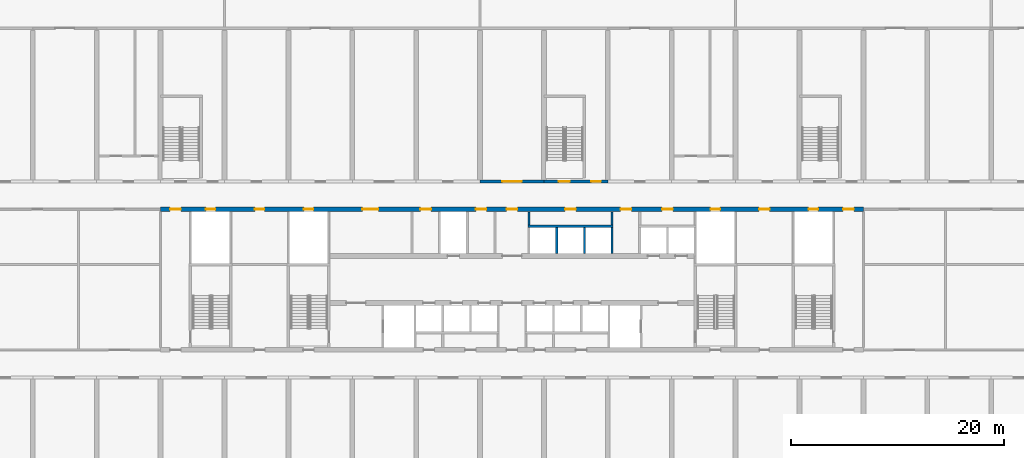
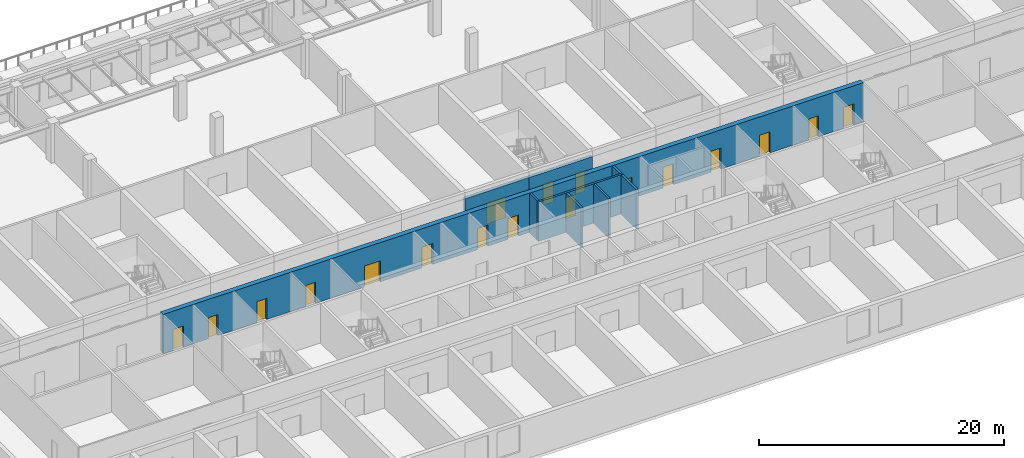
# One storey, part 7 of 15: 18 doors, 9 walls, 18 openings.
"""IFC4 building model written with IfcOpenShell, lengths in metres."""

from ifc_helpers import new_model, si_unit, direction, frame, frame_2d, origin, place, context, subcontext, project, spatial, rectangle, extrude, material, layer, layer_set, type_object, element, fill, save


model = new_model("IFC4")

# Units and contexts
model_context = context("Model", 3, precision=1e-05, world=origin(), true_north=direction((0.0, 1.0)))
body_context = subcontext(model_context, "Body", "Model", "MODEL_VIEW")
ifc_project = project(units=[si_unit("LENGTHUNIT", "METRE"), si_unit("AREAUNIT", "SQUARE_METRE"), si_unit("VOLUMEUNIT", "CUBIC_METRE"), si_unit("PLANEANGLEUNIT", "RADIAN"), si_unit("MASSUNIT", "GRAM", prefix="KILO")], contexts=[model_context])

# Site, building, storey
site_placement = place(None, origin())
site = spatial("IfcSite", under=ifc_project, at=site_placement, CompositionType="ELEMENT")
building_placement = place(site_placement, origin())
building = spatial("IfcBuilding", under=site, at=building_placement, Name="Poui Terraces", CompositionType="ELEMENT")
storey_placement = place(building_placement, frame((0.0, 0.0, 10.800048828125)))
storey = spatial("IfcBuildingStorey", under=building, at=storey_placement, Name="L02", CompositionType="ELEMENT", Elevation=10.800048828125)

# Wall, opening, door
ifc_material_1 = material(Name="Concrete 80 MPa", Category="concrete")
ifc_layer_1 = layer(ifc_material_1, 0.300048828125)
ifc_layer_set_1 = layer_set([ifc_layer_1], Name="Concrete 80 MPa")
wall_type_1 = type_object("IfcWallType", Name="CORRIDOR WALL 300 80MPa", PredefinedType="SHEAR", material=ifc_layer_set_1)
wall_1_placement = place(storey_placement, frame((48.0, 30.39990234375, 0.0), z_axis=(0.0, 0.0, 1.0), x_axis=(1.0, 0.0, 0.0)))
wall_1 = element("IfcWall", 1, at=wall_1_placement, inside=storey, type_object=wall_type_1, Name="CORRIDOR WALL LINE E BAY 9", PredefinedType="SHEAR", context=body_context, shape_type="SweptSolid", body=[
    extrude(rectangle(XDim=6.0, YDim=0.300048828125, at=frame_2d((3.0, 0.0))), origin(), (0.0, 0.0, 1.0), 3.320068359375),
])
opening_1_placement = place(wall_1_placement, frame((2.10009765625, 0.0, 0.0)))
opening_1 = element("IfcOpeningElement", 2, at=opening_1_placement, cuts=wall_1, Name="Opening DD180", PredefinedType="OPENING", context=body_context, shape_type="SweptSolid", body=[
    extrude(rectangle(XDim=1.800048828125, YDim=2.10009765625, at=frame_2d((0.89990234375, 1.050048828125))), frame((0.0, 0.16015625, 0.0), z_axis=(0.0, -1.0, 0.0), x_axis=(1.0, 0.0, 0.0)), (0.0, 0.0, 1.0), 0.320068359375),
])
ifc_material_2 = material(Name="Steel fire door", Category="steel")
door_type_1 = type_object("IfcDoorType", Name="DOUBLE INTERNAL DOOR 1800 X 2100", OperationType="DOUBLE_DOOR_SINGLE_SWING", PredefinedType="DOOR", material=ifc_material_2)
door_1_placement = place(opening_1_placement, frame((1.800048828125, 0.0, 0.0), z_axis=(0.0, 0.0, 1.0), x_axis=(-1.0, 0.0, 0.0)))
door_1 = element("IfcDoor", 3, at=door_1_placement, inside=storey, type_object=door_type_1, Name="DOUBLE INTERNAL DOOR 021", OperationType="DOUBLE_DOOR_SINGLE_SWING", OverallHeight=2.10009765625, OverallWidth=1.800048828125, PredefinedType="DOOR", context=body_context, shape_type="SweptSolid", body=[
    extrude(rectangle(XDim=1.800048828125, YDim=2.10009765625, at=frame_2d((0.89990234375, 1.050048828125))), frame((0.0, 0.02490234375, 0.0), z_axis=(0.0, -1.0, 0.0), x_axis=(1.0, 0.0, 0.0)), (0.0, 0.0, 1.0), 0.050048828125),
])
fill(opening_1, door_1)

# Wall, openings, doors
wall_2_placement = place(storey_placement, frame((54.0, 30.39990234375, 0.0), z_axis=(0.0, 0.0, 1.0), x_axis=(1.0, 0.0, 0.0)))
wall_2 = element("IfcWall", 4, at=wall_2_placement, inside=storey, type_object=wall_type_1, Name="CORRIDOR WALL LINE E BAY 10", PredefinedType="SHEAR", context=body_context, shape_type="SweptSolid", body=[
    extrude(rectangle(XDim=6.0, YDim=0.300048828125, at=frame_2d((3.0, 0.0))), origin(), (0.0, 0.0, 1.0), 3.320068359375),
])
opening_2_placement = place(wall_2_placement, frame((1.39990234375, 0.0, 0.0)))
opening_2 = element("IfcOpeningElement", 5, at=opening_2_placement, cuts=wall_2, Name="Opening FD60S", PredefinedType="OPENING", context=body_context, shape_type="SweptSolid", body=[
    extrude(rectangle(XDim=1.0, YDim=2.10009765625, at=frame_2d((0.5, 1.050048828125))), frame((0.0, 0.16015625, 0.0), z_axis=(0.0, -1.0, 0.0), x_axis=(1.0, 0.0, 0.0)), (0.0, 0.0, 1.0), 0.320068359375),
])
opening_3_placement = place(wall_2_placement, frame((4.449951171875, 0.0, 0.0)))
opening_3 = element("IfcOpeningElement", 6, at=opening_3_placement, cuts=wall_2, Name="Opening D90", PredefinedType="OPENING", context=body_context, shape_type="SweptSolid", body=[
    extrude(rectangle(XDim=0.89990234375, YDim=2.10009765625, at=frame_2d((0.449951171875, 1.050048828125))), frame((0.0, 0.16015625, 0.0), z_axis=(0.0, -1.0, 0.0), x_axis=(1.0, 0.0, 0.0)), (0.0, 0.0, 1.0), 0.320068359375),
])
ifc_material_3 = material(Name="Solid core timber door", Category="wood")
door_type_2 = type_object("IfcDoorType", Name="INTERNAL DOOR 900 X 2100", OperationType="NOTDEFINED", PredefinedType="DOOR", material=ifc_material_3)
door_2_placement = place(opening_3_placement, frame((0.89990234375, 0.0, 0.0), z_axis=(0.0, 0.0, 1.0), x_axis=(-1.0, 0.0, 0.0)))
door_2 = element("IfcDoor", 7, at=door_2_placement, inside=storey, type_object=door_type_2, Name="INTERNAL DOOR 024", OperationType="SINGLE_SWING_LEFT", OverallHeight=2.10009765625, OverallWidth=0.89990234375, PredefinedType="DOOR", context=body_context, shape_type="SweptSolid", body=[
    extrude(rectangle(XDim=0.89990234375, YDim=2.10009765625, at=frame_2d((0.449951171875, 1.050048828125))), frame((0.0, 0.02490234375, 0.0), z_axis=(0.0, -1.0, 0.0), x_axis=(1.0, 0.0, 0.0)), (0.0, 0.0, 1.0), 0.050048828125),
])
fill(opening_3, door_2)
door_type_3 = type_object("IfcDoorType", Name="STAIR DOOR 1000 X 2100", OperationType="NOTDEFINED", PredefinedType="DOOR", material=ifc_material_2)
door_3_placement = place(opening_2_placement, origin())
door_3 = element("IfcDoor", 8, at=door_3_placement, inside=storey, type_object=door_type_3, Name="STAIR DOOR 022", OperationType="SINGLE_SWING_LEFT", OverallHeight=2.10009765625, OverallWidth=1.0, PredefinedType="DOOR", context=body_context, shape_type="SweptSolid", body=[
    extrude(rectangle(XDim=1.0, YDim=2.10009765625, at=frame_2d((0.5, 1.050048828125))), frame((0.0, 0.02490234375, 0.0), z_axis=(0.0, -1.0, 0.0), x_axis=(1.0, 0.0, 0.0)), (0.0, 0.0, 1.0), 0.050048828125),
])
fill(opening_2, door_3)

# Walls
ifc_material_4 = material(Name="Fire-rated masonry wall", Category="masonry")
ifc_layer_2 = layer(ifc_material_4, 0.199951171875)
ifc_layer_set_2 = layer_set([ifc_layer_2], Name="Fire-rated masonry wall")
wall_type_2 = type_object("IfcWallType", Name="PLANT ROOM WALL 200", PredefinedType="PARTITIONING", material=ifc_layer_set_2)
for number, where, z_axis, x_axis, name in (
    (9, (52.60009765625, 26.300048828125, 0.0), (0.0, 0.0, 1.0), (0.0, 1.0, 0.0), "PLANT ROOM WALL 200"),
    (10, (60.39990234375, 26.300048828125, 0.0), (0.0, 0.0, 1.0), (0.0, 1.0, 0.0), "PLANT ROOM WALL 200"),
):
    element("IfcWall", number, at=place(storey_placement, frame(where, z_axis=z_axis, x_axis=x_axis)), inside=storey, type_object=wall_type_2, Name=name, PredefinedType="PARTITIONING", context=body_context, shape_type="SweptSolid", body=[
        extrude(rectangle(XDim=1.264892578125, YDim=0.199951171875, at=frame_2d((0.63232421875, 0.0))), origin(), (0.0, 0.0, 1.0), 3.919921875),
    ])
ifc_material_5 = material(Name="Fire-rated masonry shaft wall", Category="masonry")
ifc_layer_3 = layer(ifc_material_5, 0.199951171875)
ifc_layer_set_3 = layer_set([ifc_layer_3], Name="Fire-rated masonry shaft wall")
wall_type_3 = type_object("IfcWallType", Name="SHAFT WALL 200", PredefinedType="PARTITIONING", material=ifc_layer_set_3)
wall_3_placement = place(storey_placement, frame((52.5, 26.199951171875, 0.0), z_axis=(0.0, 0.0, 1.0), x_axis=(1.0, 0.0, 0.0)))
element("IfcWall", 11, at=wall_3_placement, inside=storey, type_object=wall_type_3, Name="SHAFT WALL 200", PredefinedType="PARTITIONING", context=body_context, shape_type="SweptSolid", body=[
    extrude(rectangle(XDim=8.0, YDim=0.199951171875, at=frame_2d((4.0, 0.0))), origin(), (0.0, 0.0, 1.0), 3.919921875),
])
for number, where, z_axis, x_axis, name in (
    (12, (55.199951171875, 23.635009765625, 0.0), (0.0, 0.0, 1.0), (0.0, 1.0, 0.0), "SHAFT WALL 200"),
    (13, (57.800048828125, 23.635009765625, 0.0), (0.0, 0.0, 1.0), (0.0, 1.0, 0.0), "SHAFT WALL 200"),
    (14, (60.39990234375, 23.635009765625, 0.0), (0.0, 0.0, 1.0), (0.0, 1.0, 0.0), "SHAFT WALL 200"),
):
    element("IfcWall", number, at=place(storey_placement, frame(where, z_axis=z_axis, x_axis=x_axis)), inside=storey, type_object=wall_type_3, Name=name, PredefinedType="PARTITIONING", context=body_context, shape_type="SweptSolid", body=[
        extrude(rectangle(XDim=2.465087890625, YDim=0.199951171875, at=frame_2d((1.232421875, 0.0))), origin(), (0.0, 0.0, 1.0), 3.919921875),
    ])

# Wall, openings, doors
ifc_layer_4 = layer(ifc_material_1, 0.449951171875)
ifc_layer_set_4 = layer_set([ifc_layer_4], Name="Concrete 80 MPa")
wall_type_4 = type_object("IfcWallType", Name="SPINE WALL 450 80 MPA", PredefinedType="SOLIDWALL", material=ifc_layer_set_4)
wall_4_placement = place(storey_placement, frame((18.0, 27.800048828125, 0.0), z_axis=(0.0, 0.0, 1.0), x_axis=(1.0, 0.0, 0.0)))
wall_4 = element("IfcWall", 15, at=wall_4_placement, inside=storey, type_object=wall_type_4, Name="SPINE WALL", PredefinedType="SOLIDWALL", context=body_context, shape_type="SweptSolid", body=[
    extrude(rectangle(XDim=66.0, YDim=0.449951171875, at=frame_2d((33.0, 0.0))), origin(), (0.0, 0.0, 1.0), 3.919921875),
])
opening_4_placement = place(wall_4_placement, frame((0.89990234375, 0.0, 0.0)))
opening_4 = element("IfcOpeningElement", 16, at=opening_4_placement, cuts=wall_4, Name="Opening FDL", PredefinedType="OPENING", context=body_context, shape_type="SweptSolid", body=[
    extrude(rectangle(XDim=1.0, YDim=2.10009765625, at=frame_2d((0.5, 1.050048828125))), frame((0.0, 0.23486328125, 0.0), z_axis=(0.0, -1.0, 0.0), x_axis=(1.0, 0.0, 0.0)), (0.0, 0.0, 1.0), 0.469970703125),
])
opening_5_placement = place(wall_4_placement, frame((4.25, 0.0, 0.0)))
opening_5 = element("IfcOpeningElement", 17, at=opening_5_placement, cuts=wall_4, Name="Opening FDR", PredefinedType="OPENING", context=body_context, shape_type="SweptSolid", body=[
    extrude(rectangle(XDim=0.89990234375, YDim=2.10009765625, at=frame_2d((0.449951171875, 1.050048828125))), frame((0.0, 0.23486328125, 0.0), z_axis=(0.0, -1.0, 0.0), x_axis=(1.0, 0.0, 0.0)), (0.0, 0.0, 1.0), 0.469970703125),
])
opening_6_placement = place(wall_4_placement, frame((8.85009765625, 0.0, 0.0)))
opening_6 = element("IfcOpeningElement", 18, at=opening_6_placement, cuts=wall_4, Name="Opening D90", PredefinedType="OPENING", context=body_context, shape_type="SweptSolid", body=[
    extrude(rectangle(XDim=0.89990234375, YDim=2.10009765625, at=frame_2d((0.449951171875, 1.050048828125))), frame((0.0, 0.23486328125, 0.0), z_axis=(0.0, -1.0, 0.0), x_axis=(1.0, 0.0, 0.0)), (0.0, 0.0, 1.0), 0.469970703125),
])
opening_7_placement = place(wall_4_placement, frame((13.449951171875, 0.0, 0.0)))
opening_7 = element("IfcOpeningElement", 19, at=opening_7_placement, cuts=wall_4, Name="Opening FDR", PredefinedType="OPENING", context=body_context, shape_type="SweptSolid", body=[
    extrude(rectangle(XDim=0.89990234375, YDim=2.10009765625, at=frame_2d((0.449951171875, 1.050048828125))), frame((0.0, 0.23486328125, 0.0), z_axis=(0.0, -1.0, 0.0), x_axis=(1.0, 0.0, 0.0)), (0.0, 0.0, 1.0), 0.469970703125),
])
opening_8_placement = place(wall_4_placement, frame((18.949951171875, 0.0, 0.0)))
opening_8 = element("IfcOpeningElement", 20, at=opening_8_placement, cuts=wall_4, Name="Opening FDP", PredefinedType="OPENING", context=body_context, shape_type="SweptSolid", body=[
    extrude(rectangle(XDim=1.5, YDim=2.10009765625, at=frame_2d((0.75, 1.050048828125))), frame((0.0, 0.23486328125, 0.0), z_axis=(0.0, -1.0, 0.0), x_axis=(1.0, 0.0, 0.0)), (0.0, 0.0, 1.0), 0.469970703125),
])
opening_9_placement = place(wall_4_placement, frame((24.39990234375, 0.0, 0.0)))
opening_9 = element("IfcOpeningElement", 21, at=opening_9_placement, cuts=wall_4, Name="Opening FD60", PredefinedType="OPENING", context=body_context, shape_type="SweptSolid", body=[
    extrude(rectangle(XDim=1.0, YDim=2.10009765625, at=frame_2d((0.5, 1.050048828125))), frame((0.0, 0.23486328125, 0.0), z_axis=(0.0, -1.0, 0.0), x_axis=(1.0, 0.0, 0.0)), (0.0, 0.0, 1.0), 0.469970703125),
])
opening_10_placement = place(wall_4_placement, frame((29.60009765625, 0.0, 0.0)))
opening_10 = element("IfcOpeningElement", 22, at=opening_10_placement, cuts=wall_4, Name="Opening FD60", PredefinedType="OPENING", context=body_context, shape_type="SweptSolid", body=[
    extrude(rectangle(XDim=1.0, YDim=2.10009765625, at=frame_2d((0.5, 1.050048828125))), frame((0.0, 0.23486328125, 0.0), z_axis=(0.0, -1.0, 0.0), x_axis=(1.0, 0.0, 0.0)), (0.0, 0.0, 1.0), 0.469970703125),
])
opening_11_placement = place(wall_4_placement, frame((32.5, 0.0, 0.0)))
opening_11 = element("IfcOpeningElement", 23, at=opening_11_placement, cuts=wall_4, Name="Opening FDL", PredefinedType="OPENING", context=body_context, shape_type="SweptSolid", body=[
    extrude(rectangle(XDim=1.0, YDim=2.10009765625, at=frame_2d((0.5, 1.050048828125))), frame((0.0, 0.23486328125, 0.0), z_axis=(0.0, -1.0, 0.0), x_axis=(1.0, 0.0, 0.0)), (0.0, 0.0, 1.0), 0.469970703125),
])
opening_12_placement = place(wall_4_placement, frame((38.0, 0.0, 0.0)))
opening_12 = element("IfcOpeningElement", 24, at=opening_12_placement, cuts=wall_4, Name="Opening FD60", PredefinedType="OPENING", context=body_context, shape_type="SweptSolid", body=[
    extrude(rectangle(XDim=1.0, YDim=2.10009765625, at=frame_2d((0.5, 1.050048828125))), frame((0.0, 0.23486328125, 0.0), z_axis=(0.0, -1.0, 0.0), x_axis=(1.0, 0.0, 0.0)), (0.0, 0.0, 1.0), 0.469970703125),
])
opening_13_placement = place(wall_4_placement, frame((43.199951171875, 0.0, 0.0)))
opening_13 = element("IfcOpeningElement", 25, at=opening_13_placement, cuts=wall_4, Name="Opening FD60", PredefinedType="OPENING", context=body_context, shape_type="SweptSolid", body=[
    extrude(rectangle(XDim=1.0, YDim=2.10009765625, at=frame_2d((0.5, 1.050048828125))), frame((0.0, 0.23486328125, 0.0), z_axis=(0.0, -1.0, 0.0), x_axis=(1.0, 0.0, 0.0)), (0.0, 0.0, 1.0), 0.469970703125),
])
opening_14_placement = place(wall_4_placement, frame((47.10009765625, 0.0, 0.0)))
opening_14 = element("IfcOpeningElement", 26, at=opening_14_placement, cuts=wall_4, Name="Opening FD60", PredefinedType="OPENING", context=body_context, shape_type="SweptSolid", body=[
    extrude(rectangle(XDim=1.0, YDim=2.10009765625, at=frame_2d((0.5, 1.050048828125))), frame((0.0, 0.23486328125, 0.0), z_axis=(0.0, -1.0, 0.0), x_axis=(1.0, 0.0, 0.0)), (0.0, 0.0, 1.0), 0.469970703125),
])
opening_15_placement = place(wall_4_placement, frame((51.64990234375, 0.0, 0.0)))
opening_15 = element("IfcOpeningElement", 27, at=opening_15_placement, cuts=wall_4, Name="Opening FDR", PredefinedType="OPENING", context=body_context, shape_type="SweptSolid", body=[
    extrude(rectangle(XDim=0.89990234375, YDim=2.10009765625, at=frame_2d((0.449951171875, 1.050048828125))), frame((0.0, 0.23486328125, 0.0), z_axis=(0.0, -1.0, 0.0), x_axis=(1.0, 0.0, 0.0)), (0.0, 0.0, 1.0), 0.469970703125),
])
opening_16_placement = place(wall_4_placement, frame((56.199951171875, 0.0, 0.0)))
opening_16 = element("IfcOpeningElement", 28, at=opening_16_placement, cuts=wall_4, Name="Opening D100", PredefinedType="OPENING", context=body_context, shape_type="SweptSolid", body=[
    extrude(rectangle(XDim=1.0, YDim=2.10009765625, at=frame_2d((0.5, 1.050048828125))), frame((0.0, 0.23486328125, 0.0), z_axis=(0.0, -1.0, 0.0), x_axis=(1.0, 0.0, 0.0)), (0.0, 0.0, 1.0), 0.469970703125),
])
opening_17_placement = place(wall_4_placement, frame((60.85009765625, 0.0, 0.0)))
opening_17 = element("IfcOpeningElement", 29, at=opening_17_placement, cuts=wall_4, Name="Opening FDR", PredefinedType="OPENING", context=body_context, shape_type="SweptSolid", body=[
    extrude(rectangle(XDim=0.89990234375, YDim=2.10009765625, at=frame_2d((0.449951171875, 1.050048828125))), frame((0.0, 0.23486328125, 0.0), z_axis=(0.0, -1.0, 0.0), x_axis=(1.0, 0.0, 0.0)), (0.0, 0.0, 1.0), 0.469970703125),
])
opening_18_placement = place(wall_4_placement, frame((64.10009765625, 0.0, 0.0)))
opening_18 = element("IfcOpeningElement", 30, at=opening_18_placement, cuts=wall_4, Name="Opening FDL", PredefinedType="OPENING", context=body_context, shape_type="SweptSolid", body=[
    extrude(rectangle(XDim=1.0, YDim=2.10009765625, at=frame_2d((0.5, 1.050048828125))), frame((0.0, 0.23486328125, 0.0), z_axis=(0.0, -1.0, 0.0), x_axis=(1.0, 0.0, 0.0)), (0.0, 0.0, 1.0), 0.469970703125),
])
door_type_4 = type_object("IfcDoorType", Name="ACCESSIBLE INTERNAL DOOR 1000 X 2100", OperationType="NOTDEFINED", PredefinedType="DOOR", material=ifc_material_3)
door_4_placement = place(opening_16_placement, origin())
door_4 = element("IfcDoor", 31, at=door_4_placement, inside=storey, type_object=door_type_4, Name="ACCESSIBLE INTERNAL DOOR 030", OperationType="SINGLE_SWING_RIGHT", OverallHeight=2.10009765625, OverallWidth=1.0, PredefinedType="DOOR", context=body_context, shape_type="SweptSolid", body=[
    extrude(rectangle(XDim=1.0, YDim=2.10009765625, at=frame_2d((0.5, 1.050048828125))), frame((0.0, 0.02490234375, 0.0), z_axis=(0.0, -1.0, 0.0), x_axis=(1.0, 0.0, 0.0)), (0.0, 0.0, 1.0), 0.050048828125),
])
fill(opening_16, door_4)
door_5_placement = place(opening_6_placement, origin())
door_5 = element("IfcDoor", 32, at=door_5_placement, inside=storey, type_object=door_type_2, Name="INTERNAL DOOR 012", OperationType="SINGLE_SWING_RIGHT", OverallHeight=2.10009765625, OverallWidth=0.89990234375, PredefinedType="DOOR", context=body_context, shape_type="SweptSolid", body=[
    extrude(rectangle(XDim=0.89990234375, YDim=2.10009765625, at=frame_2d((0.449951171875, 1.050048828125))), frame((0.0, 0.02490234375, 0.0), z_axis=(0.0, -1.0, 0.0), x_axis=(1.0, 0.0, 0.0)), (0.0, 0.0, 1.0), 0.050048828125),
])
fill(opening_6, door_5)
door_type_5 = type_object("IfcDoorType", Name="LOBBY FIRE DOOR 1000 X 2100", OperationType="NOTDEFINED", PredefinedType="DOOR", material=ifc_material_2)
door_6_placement = place(opening_4_placement, origin())
door_6 = element("IfcDoor", 33, at=door_6_placement, inside=storey, type_object=door_type_5, Name="LOBBY FIRE DOOR 007", OperationType="SINGLE_SWING_LEFT", OverallHeight=2.10009765625, OverallWidth=1.0, PredefinedType="DOOR", context=body_context, shape_type="SweptSolid", body=[
    extrude(rectangle(XDim=1.0, YDim=2.10009765625, at=frame_2d((0.5, 1.050048828125))), frame((0.0, 0.02490234375, 0.0), z_axis=(0.0, -1.0, 0.0), x_axis=(1.0, 0.0, 0.0)), (0.0, 0.0, 1.0), 0.050048828125),
])
fill(opening_4, door_6)
door_7_placement = place(opening_11_placement, origin())
door_7 = element("IfcDoor", 34, at=door_7_placement, inside=storey, type_object=door_type_5, Name="LOBBY FIRE DOOR 020", OperationType="SINGLE_SWING_RIGHT", OverallHeight=2.10009765625, OverallWidth=1.0, PredefinedType="DOOR", context=body_context, shape_type="SweptSolid", body=[
    extrude(rectangle(XDim=1.0, YDim=2.10009765625, at=frame_2d((0.5, 1.050048828125))), frame((0.0, 0.02490234375, 0.0), z_axis=(0.0, -1.0, 0.0), x_axis=(1.0, 0.0, 0.0)), (0.0, 0.0, 1.0), 0.050048828125),
])
fill(opening_11, door_7)
door_8_placement = place(opening_18_placement, origin())
door_8 = element("IfcDoor", 35, at=door_8_placement, inside=storey, type_object=door_type_5, Name="LOBBY FIRE DOOR 034", OperationType="SINGLE_SWING_RIGHT", OverallHeight=2.10009765625, OverallWidth=1.0, PredefinedType="DOOR", context=body_context, shape_type="SweptSolid", body=[
    extrude(rectangle(XDim=1.0, YDim=2.10009765625, at=frame_2d((0.5, 1.050048828125))), frame((0.0, 0.02490234375, 0.0), z_axis=(0.0, -1.0, 0.0), x_axis=(1.0, 0.0, 0.0)), (0.0, 0.0, 1.0), 0.050048828125),
])
fill(opening_18, door_8)
door_type_6 = type_object("IfcDoorType", Name="PLANT ROOM DOOR PAIR 1500 X 2100", OperationType="DOUBLE_DOOR_SINGLE_SWING", PredefinedType="DOOR", material=ifc_material_2)
door_9_placement = place(opening_8_placement, origin())
door_9 = element("IfcDoor", 36, at=door_9_placement, inside=storey, type_object=door_type_6, Name="PLANT ROOM DOOR PAIR 015", OperationType="DOUBLE_DOOR_SINGLE_SWING", OverallHeight=2.10009765625, OverallWidth=1.5, PredefinedType="DOOR", context=body_context, shape_type="SweptSolid", body=[
    extrude(rectangle(XDim=1.5, YDim=2.10009765625, at=frame_2d((0.75, 1.050048828125))), frame((0.0, 0.02490234375, 0.0), z_axis=(0.0, -1.0, 0.0), x_axis=(1.0, 0.0, 0.0)), (0.0, 0.0, 1.0), 0.050048828125),
])
fill(opening_8, door_9)
door_type_7 = type_object("IfcDoorType", Name="RISER CUPBOARD DOOR 900 X 2100", OperationType="NOTDEFINED", PredefinedType="DOOR", material=ifc_material_2)
door_10_placement = place(opening_5_placement, origin())
door_10 = element("IfcDoor", 37, at=door_10_placement, inside=storey, type_object=door_type_7, Name="RISER CUPBOARD DOOR 009", OperationType="SINGLE_SWING_LEFT", OverallHeight=2.10009765625, OverallWidth=0.89990234375, PredefinedType="DOOR", context=body_context, shape_type="SweptSolid", body=[
    extrude(rectangle(XDim=0.89990234375, YDim=2.10009765625, at=frame_2d((0.449951171875, 1.050048828125))), frame((0.0, 0.02490234375, 0.0), z_axis=(0.0, -1.0, 0.0), x_axis=(1.0, 0.0, 0.0)), (0.0, 0.0, 1.0), 0.050048828125),
])
fill(opening_5, door_10)
door_11_placement = place(opening_7_placement, origin())
door_11 = element("IfcDoor", 38, at=door_11_placement, inside=storey, type_object=door_type_7, Name="RISER CUPBOARD DOOR 013", OperationType="SINGLE_SWING_LEFT", OverallHeight=2.10009765625, OverallWidth=0.89990234375, PredefinedType="DOOR", context=body_context, shape_type="SweptSolid", body=[
    extrude(rectangle(XDim=0.89990234375, YDim=2.10009765625, at=frame_2d((0.449951171875, 1.050048828125))), frame((0.0, 0.02490234375, 0.0), z_axis=(0.0, -1.0, 0.0), x_axis=(1.0, 0.0, 0.0)), (0.0, 0.0, 1.0), 0.050048828125),
])
fill(opening_7, door_11)
door_12_placement = place(opening_15_placement, origin())
door_12 = element("IfcDoor", 39, at=door_12_placement, inside=storey, type_object=door_type_7, Name="RISER CUPBOARD DOOR 029", OperationType="SINGLE_SWING_RIGHT", OverallHeight=2.10009765625, OverallWidth=0.89990234375, PredefinedType="DOOR", context=body_context, shape_type="SweptSolid", body=[
    extrude(rectangle(XDim=0.89990234375, YDim=2.10009765625, at=frame_2d((0.449951171875, 1.050048828125))), frame((0.0, 0.02490234375, 0.0), z_axis=(0.0, -1.0, 0.0), x_axis=(1.0, 0.0, 0.0)), (0.0, 0.0, 1.0), 0.050048828125),
])
fill(opening_15, door_12)
door_13_placement = place(opening_17_placement, origin())
door_13 = element("IfcDoor", 40, at=door_13_placement, inside=storey, type_object=door_type_7, Name="RISER CUPBOARD DOOR 032", OperationType="SINGLE_SWING_RIGHT", OverallHeight=2.10009765625, OverallWidth=0.89990234375, PredefinedType="DOOR", context=body_context, shape_type="SweptSolid", body=[
    extrude(rectangle(XDim=0.89990234375, YDim=2.10009765625, at=frame_2d((0.449951171875, 1.050048828125))), frame((0.0, 0.02490234375, 0.0), z_axis=(0.0, -1.0, 0.0), x_axis=(1.0, 0.0, 0.0)), (0.0, 0.0, 1.0), 0.050048828125),
])
fill(opening_17, door_13)
door_type_8 = type_object("IfcDoorType", Name="SERVICE ROOM FIRE DOOR 1000 X 2100", OperationType="NOTDEFINED", PredefinedType="DOOR", material=ifc_material_2)
door_14_placement = place(opening_9_placement, origin())
door_14 = element("IfcDoor", 41, at=door_14_placement, inside=storey, type_object=door_type_8, Name="SERVICE ROOM FIRE DOOR 017", OperationType="SINGLE_SWING_RIGHT", OverallHeight=2.10009765625, OverallWidth=1.0, PredefinedType="DOOR", context=body_context, shape_type="SweptSolid", body=[
    extrude(rectangle(XDim=1.0, YDim=2.10009765625, at=frame_2d((0.5, 1.050048828125))), frame((0.0, 0.02490234375, 0.0), z_axis=(0.0, -1.0, 0.0), x_axis=(1.0, 0.0, 0.0)), (0.0, 0.0, 1.0), 0.050048828125),
])
fill(opening_9, door_14)
door_15_placement = place(opening_10_placement, origin())
door_15 = element("IfcDoor", 42, at=door_15_placement, inside=storey, type_object=door_type_8, Name="SERVICE ROOM FIRE DOOR 019", OperationType="SINGLE_SWING_LEFT", OverallHeight=2.10009765625, OverallWidth=1.0, PredefinedType="DOOR", context=body_context, shape_type="SweptSolid", body=[
    extrude(rectangle(XDim=1.0, YDim=2.10009765625, at=frame_2d((0.5, 1.050048828125))), frame((0.0, 0.02490234375, 0.0), z_axis=(0.0, -1.0, 0.0), x_axis=(1.0, 0.0, 0.0)), (0.0, 0.0, 1.0), 0.050048828125),
])
fill(opening_10, door_15)
door_16_placement = place(opening_12_placement, origin())
door_16 = element("IfcDoor", 43, at=door_16_placement, inside=storey, type_object=door_type_8, Name="SERVICE ROOM FIRE DOOR 023", OperationType="SINGLE_SWING_RIGHT", OverallHeight=2.10009765625, OverallWidth=1.0, PredefinedType="DOOR", context=body_context, shape_type="SweptSolid", body=[
    extrude(rectangle(XDim=1.0, YDim=2.10009765625, at=frame_2d((0.5, 1.050048828125))), frame((0.0, 0.02490234375, 0.0), z_axis=(0.0, -1.0, 0.0), x_axis=(1.0, 0.0, 0.0)), (0.0, 0.0, 1.0), 0.050048828125),
])
fill(opening_12, door_16)
door_17_placement = place(opening_13_placement, origin())
door_17 = element("IfcDoor", 44, at=door_17_placement, inside=storey, type_object=door_type_8, Name="SERVICE ROOM FIRE DOOR 025", OperationType="SINGLE_SWING_LEFT", OverallHeight=2.10009765625, OverallWidth=1.0, PredefinedType="DOOR", context=body_context, shape_type="SweptSolid", body=[
    extrude(rectangle(XDim=1.0, YDim=2.10009765625, at=frame_2d((0.5, 1.050048828125))), frame((0.0, 0.02490234375, 0.0), z_axis=(0.0, -1.0, 0.0), x_axis=(1.0, 0.0, 0.0)), (0.0, 0.0, 1.0), 0.050048828125),
])
fill(opening_13, door_17)
door_18_placement = place(opening_14_placement, origin())
door_18 = element("IfcDoor", 45, at=door_18_placement, inside=storey, type_object=door_type_8, Name="SERVICE ROOM FIRE DOOR 027", OperationType="SINGLE_SWING_RIGHT", OverallHeight=2.10009765625, OverallWidth=1.0, PredefinedType="DOOR", context=body_context, shape_type="SweptSolid", body=[
    extrude(rectangle(XDim=1.0, YDim=2.10009765625, at=frame_2d((0.5, 1.050048828125))), frame((0.0, 0.02490234375, 0.0), z_axis=(0.0, -1.0, 0.0), x_axis=(1.0, 0.0, 0.0)), (0.0, 0.0, 1.0), 0.050048828125),
])
fill(opening_14, door_18)

save(model, "model.ifc")
